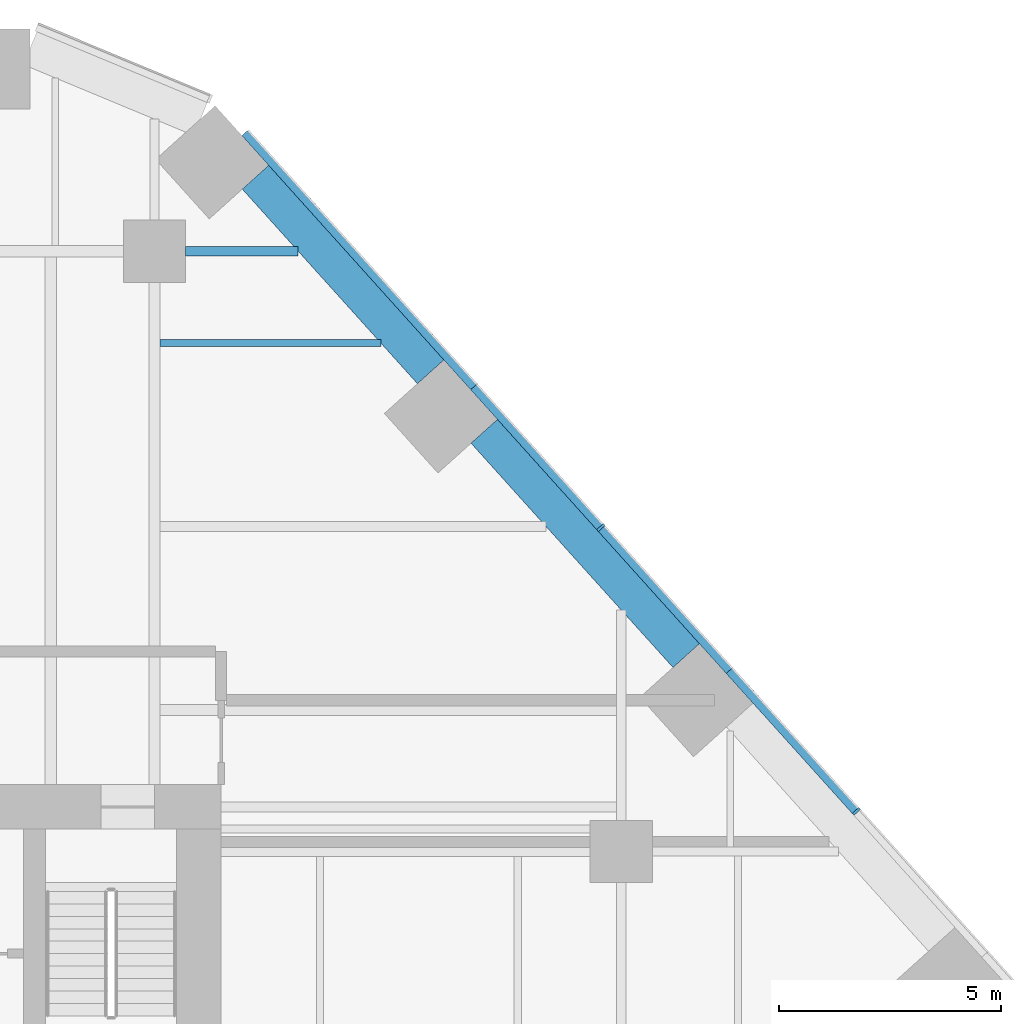
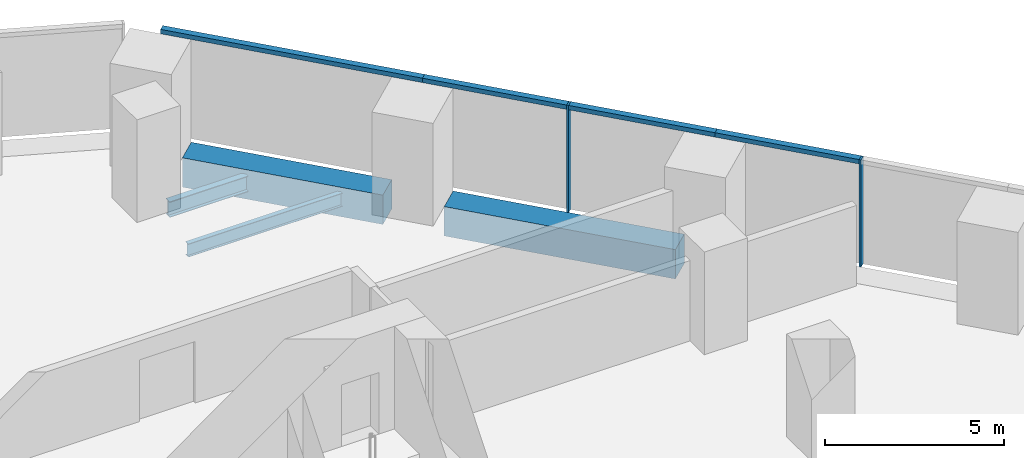
# One storey, part 10 of 20: 6 members, 4 beams, 1 element without a shape of its own.
"""IFC4 building model written with IfcOpenShell, lengths in metres."""

from ifc_helpers import new_model, si_unit, direction, frame, origin, origin_2d, place, context, subcontext, project, spatial, rectangle, i_section, extrude, material, layer, layer_set, material_profile, profile_set, type_object, element, aggregate, save


model = new_model("IFC4")

# Units and contexts
model_context = context("Model", 3, precision=1e-05, world=origin(), true_north=direction((0.0, 1.0)))
body_context = subcontext(model_context, "Body", "Model", "MODEL_VIEW")
ifc_project = project(units=[si_unit("LENGTHUNIT", "METRE"), si_unit("AREAUNIT", "SQUARE_METRE"), si_unit("VOLUMEUNIT", "CUBIC_METRE"), si_unit("PLANEANGLEUNIT", "RADIAN"), si_unit("MASSUNIT", "GRAM", prefix="KILO")], contexts=[model_context])

# Site, building, storey
site_placement = place(None, origin())
site = spatial("IfcSite", under=ifc_project, at=site_placement, CompositionType="ELEMENT")
building_placement = place(site_placement, origin())
building = spatial("IfcBuilding", under=site, at=building_placement, Name="Isthmus Gate Tower", CompositionType="ELEMENT")
storey_placement = place(building_placement, frame((0.0, 0.0, 57.89990234375)))
storey = spatial("IfcBuildingStorey", under=building, at=storey_placement, Name="L12", CompositionType="ELEMENT", Elevation=57.89990234375)

# Curtain wall, members
ifc_material_1 = material(Name="Aluminium, pale champagne anodised", Category="aluminium")
ifc_layer = layer(ifc_material_1, 0.199951171875)
ifc_layer_set = layer_set([ifc_layer], Name="CW-1 UNITISED CURTAIN WALL 200 DEEP")
curtain_wall_type = type_object("IfcCurtainWallType", Name="CW-1 UNITISED CURTAIN WALL 200 DEEP", PredefinedType="NOTDEFINED", material=ifc_layer_set)
curtain_wall_placement = place(storey_placement, origin())
curtain_wall = element("IfcCurtainWall", 1, at=curtain_wall_placement, inside=storey, type_object=curtain_wall_type, Name="CW-1 NE L12", PredefinedType="NOTDEFINED")
ifc_material_2 = material(Name="Aluminium, pale champagne anodised", Category="aluminium")
ifc_material_profile_1 = material_profile(ifc_material_2, rectangle(XDim=0.06005859375, YDim=0.199951171875, at=origin_2d()), Name="60x200")
ifc_profile_set_1 = profile_set([ifc_material_profile_1], Name="Aluminium, pale champagne anodised")
member_type_1 = type_object("IfcMemberType", Name="CW-1 MULLION 60 X 200", PredefinedType="MULLION", material=ifc_profile_set_1)
member_1_placement = place(storey_placement, frame((29.287841796875, 14.400146484375, 0.0), z_axis=(0.0, 0.0, 1.0), x_axis=(-0.669130606359, 0.743144825477, 0.0)))
member_1 = element("IfcMember", 2, at=member_1_placement, type_object=member_type_1, Name="CW-1 mullion", PredefinedType="MULLION", context=body_context, shape_type="SweptSolid", body=[
    extrude(rectangle(XDim=0.06005859375, YDim=0.199951171875, at=origin_2d()), origin(), (0.0, 0.0, 1.0), 3.650146484375),
])
member_2_placement = place(storey_placement, frame((23.54052734375, 20.783447265625, 0.0), z_axis=(0.0, 0.0, 1.0), x_axis=(-0.669130606359, 0.743144825477, 0.0)))
member_2 = element("IfcMember", 3, at=member_2_placement, type_object=member_type_1, Name="CW-1 mullion", PredefinedType="MULLION", context=body_context, shape_type="SweptSolid", body=[
    extrude(rectangle(XDim=0.06005859375, YDim=0.199951171875, at=origin_2d()), origin(), (0.0, 0.0, 1.0), 3.650146484375),
])
ifc_material_3 = material(Name="Aluminium, pale champagne anodised", Category="aluminium")
ifc_material_profile_2 = material_profile(ifc_material_3, rectangle(XDim=0.199951171875, YDim=0.14990234375, at=origin_2d()), Name="200x150")
ifc_profile_set_2 = profile_set([ifc_material_profile_2], Name="Aluminium, pale champagne anodised")
member_type_2 = type_object("IfcMemberType", Name="CW-1 TRANSOM 200 X 150", PredefinedType="USERDEFINED", material=ifc_profile_set_2)
member_3_placement = place(storey_placement, frame((29.267822265625, 14.422607421875, 3.5751953125), z_axis=(-0.669123979474, 0.743150792298, 0.0), x_axis=(-0.743150792298, -0.669123979474, 0.0)))
member_3 = element("IfcMember", 4, at=member_3_placement, type_object=member_type_2, Name="CW-1 transom", ObjectType="TRANSOM", PredefinedType="USERDEFINED", context=body_context, shape_type="SweptSolid", body=[
    extrude(rectangle(XDim=0.199951171875, YDim=0.14990234375, at=origin_2d()), origin(), (0.0, 0.0, 1.0), 4.234619140625),
])
member_4_placement = place(storey_placement, frame((26.434326171875, 17.569580078125, 3.5751953125), z_axis=(-0.669159437096, 0.743118865153, 0.0), x_axis=(-0.743118865153, -0.669159437096, 0.0)))
member_4 = element("IfcMember", 5, at=member_4_placement, type_object=member_type_2, Name="CW-1 transom", ObjectType="TRANSOM", PredefinedType="USERDEFINED", context=body_context, shape_type="SweptSolid", body=[
    extrude(rectangle(XDim=0.199951171875, YDim=0.14990234375, at=origin_2d()), origin(), (0.0, 0.0, 1.0), 4.294677734375),
])
member_5_placement = place(storey_placement, frame((23.520263671875, 20.8056640625, 3.5751953125), z_axis=(-0.669123979474, 0.743150792298, 0.0), x_axis=(-0.743150792298, -0.669123979474, 0.0)))
member_5 = element("IfcMember", 6, at=member_5_placement, type_object=member_type_2, Name="CW-1 transom", ObjectType="TRANSOM", PredefinedType="USERDEFINED", context=body_context, shape_type="SweptSolid", body=[
    extrude(rectangle(XDim=0.199951171875, YDim=0.14990234375, at=origin_2d()), origin(), (0.0, 0.0, 1.0), 4.234619140625),
])
member_6_placement = place(storey_placement, frame((20.686767578125, 23.95263671875, 3.5751953125), z_axis=(-0.669115577823, 0.743158356957, 0.0), x_axis=(-0.743158356957, -0.669115577823, 0.0)))
member_6 = element("IfcMember", 7, at=member_6_placement, type_object=member_type_2, Name="CW-1 transom", ObjectType="TRANSOM", PredefinedType="USERDEFINED", context=body_context, shape_type="SweptSolid", body=[
    extrude(rectangle(XDim=0.199951171875, YDim=0.14990234375, at=origin_2d()), origin(), (0.0, 0.0, 1.0), 7.689208984375),
])
aggregate(curtain_wall, [member_1, member_3, member_4, member_2, member_5, member_6])

# Beams
ifc_material_4 = material(Name="Concrete f'c 70 MPa", Category="concrete")
ifc_material_profile_3 = material_profile(ifc_material_4, rectangle(XDim=0.800048828125, YDim=1.0, at=origin_2d()), Name="RC 800X1000")
ifc_profile_set_3 = profile_set([ifc_material_profile_3], Name="Concrete f'c 70 MPa")
beam_type_1 = type_object("IfcBeamType", Name="RC SPANDREL 800 X 1000", PredefinedType="SPANDREL", material=ifc_profile_set_3)
beam_1_placement = place(storey_placement, frame((15.772216796875, 28.66357421875, -0.5), z_axis=(0.669141061586, -0.743135411415, 0.0), x_axis=(0.743135411415, 0.669141061586, 0.0)))
element("IfcBeam", 8, at=beam_1_placement, inside=storey, type_object=beam_type_1, Name="str-spandrel-L12-01", PredefinedType="SPANDREL", context=body_context, shape_type="SweptSolid", body=[
    extrude(rectangle(XDim=0.800048828125, YDim=1.0, at=origin_2d()), origin(), (0.0, 0.0, 1.0), 5.889404296875),
])
beam_2_placement = place(storey_placement, frame((20.91748046875, 22.94921875, -0.5), z_axis=(0.669135571547, -0.743140354772, 0.0), x_axis=(0.743140354772, 0.669135571547, 0.0)))
element("IfcBeam", 9, at=beam_2_placement, inside=storey, type_object=beam_type_1, Name="str-spandrel-L12-02", PredefinedType="SPANDREL", context=body_context, shape_type="SweptSolid", body=[
    extrude(rectangle(XDim=0.800048828125, YDim=1.0, at=origin_2d()), origin(), (0.0, 0.0, 1.0), 6.789306640625),
])
ifc_material_5 = material(Name="Structural steel ASTM A992 Gr 50", Category="steel")
ifc_material_profile_4 = material_profile(ifc_material_5, i_section(OverallWidth=0.15234375, OverallDepth=0.45068359375, WebThickness=0.0078125, FlangeThickness=0.010986328125, at=origin_2d()), Name="W18X35")
ifc_profile_set_4 = profile_set([ifc_material_profile_4], Name="Structural steel ASTM A992 Gr 50")
beam_type_2 = type_object("IfcBeamType", Name="STEEL FLOOR BEAM W18X35", PredefinedType="JOIST", material=ifc_profile_set_4)
beam_3_placement = place(storey_placement, frame((13.626953125, 24.935791015625, -0.375244140625), z_axis=(1.0, 0.0, 0.0), x_axis=(0.0, 1.0, 0.0)))
element("IfcBeam", 10, at=beam_3_placement, inside=storey, type_object=beam_type_2, Name="str-beam-L12-26-02", PredefinedType="JOIST", context=body_context, shape_type="SweptSolid", body=[
    extrude(i_section(OverallWidth=0.15234375, OverallDepth=0.45068359375, WebThickness=0.0078125, FlangeThickness=0.010986328125, at=origin_2d()), origin(), (0.0, 0.0, 1.0), 4.963623046875),
])
ifc_material_6 = material(Name="Structural steel ASTM A992 Gr 50", Category="steel")
ifc_material_profile_5 = material_profile(ifc_material_6, i_section(OverallWidth=0.20947265625, OverallDepth=0.533447265625, WebThickness=0.009521484375, FlangeThickness=0.015869140625, at=origin_2d()), Name="W21X62")
ifc_profile_set_5 = profile_set([ifc_material_profile_5], Name="Structural steel ASTM A992 Gr 50")
beam_type_3 = type_object("IfcBeamType", Name="STEEL GIRDER W21X62", PredefinedType="BEAM", material=ifc_profile_set_5)
beam_4_placement = place(storey_placement, frame((14.199951171875, 27.0, -0.41650390625), z_axis=(1.0, 0.0, 0.0), x_axis=(0.0, 1.0, 0.0)))
element("IfcBeam", 11, at=beam_4_placement, inside=storey, type_object=beam_type_3, Name="str-girder-L12-19", PredefinedType="BEAM", context=body_context, shape_type="SweptSolid", body=[
    extrude(i_section(OverallWidth=0.20947265625, OverallDepth=0.533447265625, WebThickness=0.009521484375, FlangeThickness=0.015869140625, at=origin_2d()), origin(), (0.0, 0.0, 1.0), 2.531982421875),
])

save(model, "model.ifc")
